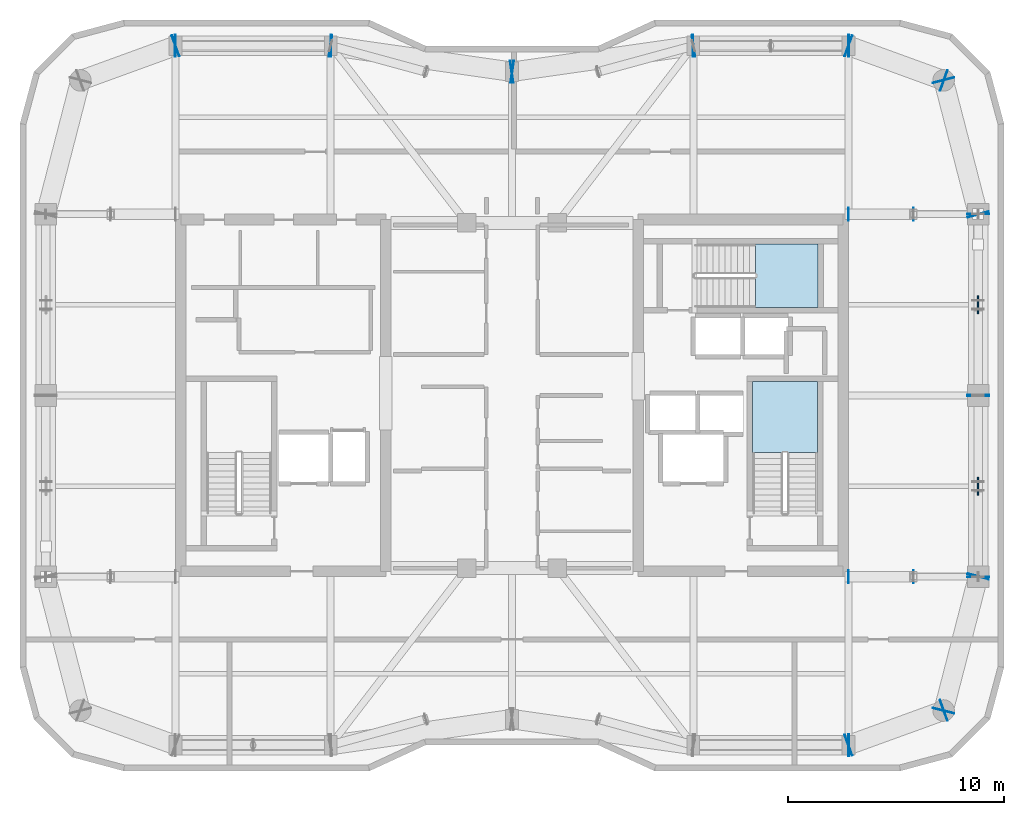
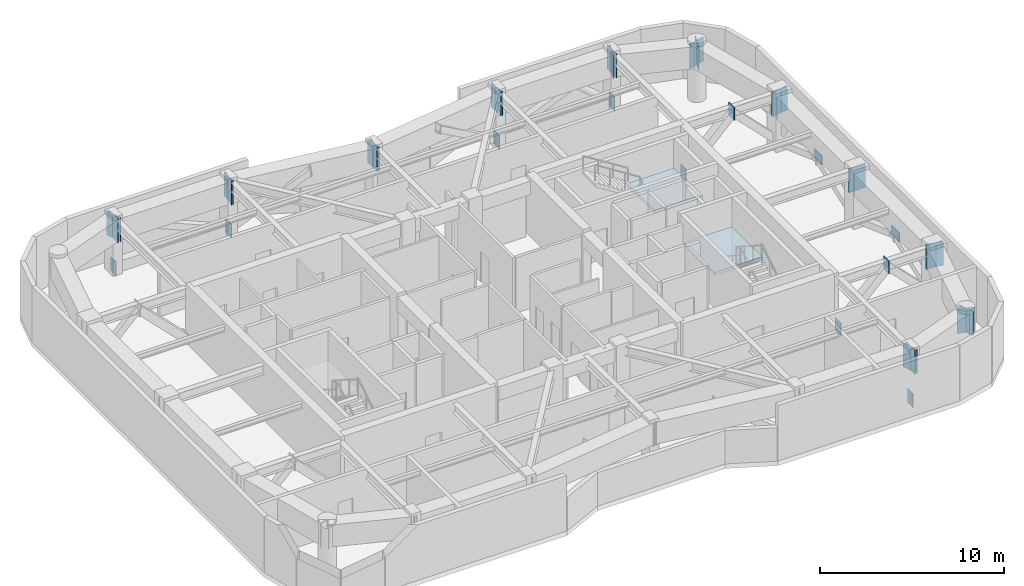
# One storey, part 5 of 11: 33 plates, 2 slabs, 2 elements without a shape of their own.
"""IFC4 building model written with IfcOpenShell, lengths in metres."""

import ifcopenshell
import ifcopenshell.guid

model = None  # the IFC model being written
_history = None  # IfcOwnerHistory: only IFC2X3 demands one
_inside = {}  # id of a spatial element -> (the spatial element, [elements in it])
_under = {}  # id of a project, library or spatial element -> (it, [spatial elements below it])
_declared = {}  # id of a project -> (the project, [libraries it declares])
_typed = {}  # id of a type object -> (the type object, [elements of that type])
_made_of = {}  # id of a material, layer set ... -> (it, [elements and type objects made of it])


def new_model(schema):
    """Start an empty IFC model of exactly this schema.

    Asked for "IFC4X3", IfcOpenShell would pick the latest addendum, in which some entities
    have other attributes; the version numbers below select the first issue.
    IFC2X3 requires an IfcOwnerHistory on every rooted entity: one is made here for all.
    """
    global model, _history
    if schema == "IFC4X3":
        model = ifcopenshell.file(schema_version=(4, 3, 0, 0))
    else:
        model = ifcopenshell.file(schema=schema)
    _inside.clear()
    _under.clear()
    _declared.clear()
    _typed.clear()
    _made_of.clear()
    _history = None
    if model.schema == "IFC2X3":
        org = make("IfcOrganization", Name="unknown")
        user = make(
            "IfcPersonAndOrganization",
            ThePerson=make("IfcPerson", FamilyName="unknown"),
            TheOrganization=org,
        )
        app = make(
            "IfcApplication",
            ApplicationDeveloper=org,
            Version="unknown",
            ApplicationFullName="unknown",
            ApplicationIdentifier="unknown",
        )
        _history = make(
            "IfcOwnerHistory",
            OwningUser=user,
            OwningApplication=app,
            ChangeAction="ADDED",
            CreationDate=0,
        )
    return model


def make(cls, **values):
    """One entity of the class cls with the attributes given. An attribute that is None is left unset."""
    return model.create_entity(
        cls, **{name: value for name, value in values.items() if value is not None}
    )


def rooted(cls, **values):
    """An entity with a GlobalId (a new one), such as an element, a storey or a relation."""
    return make(cls, GlobalId=ifcopenshell.guid.new(), OwnerHistory=_history, **values)


def si_unit(unit_type, name, prefix=None):
    """IfcSIUnit, for example si_unit("LENGTHUNIT", "METRE", prefix="MILLI")."""
    return make("IfcSIUnit", UnitType=unit_type, Prefix=prefix, Name=name)


def assignment(units):
    """IfcUnitAssignment: the units of a project."""
    return None if units is None else make("IfcUnitAssignment", Units=units)


def point(xyz):
    """IfcCartesianPoint."""
    return None if xyz is None else make("IfcCartesianPoint", Coordinates=xyz)


def direction(xyz):
    """IfcDirection."""
    return None if xyz is None else make("IfcDirection", DirectionRatios=xyz)


def frame(location, z_axis=None, x_axis=None):
    """IfcAxis2Placement3D, a coordinate frame: its origin and axes. An axis left out is left unset."""
    return make(
        "IfcAxis2Placement3D",
        Location=point(location),
        Axis=direction(z_axis),
        RefDirection=direction(x_axis),
    )


def frame_2d(location, x_axis=None):
    """IfcAxis2Placement2D, a coordinate frame in the plane: its origin and x axis."""
    return make(
        "IfcAxis2Placement2D", Location=point(location), RefDirection=direction(x_axis)
    )


def origin():
    """The frame at (0, 0, 0) with its axes left unset."""
    return frame((0.0, 0.0, 0.0))


def origin_2d():
    """The frame at (0, 0) in the plane with its x axis left unset."""
    return frame_2d((0.0, 0.0))


def place(relative_to, where):
    """IfcLocalPlacement: puts the frame where relative to a parent placement (None: the world)."""
    return make(
        "IfcLocalPlacement", PlacementRelTo=relative_to, RelativePlacement=where
    )


def context(
    kind, dimensions, precision=None, world=None, true_north=None, identifier=None
):
    """IfcGeometricRepresentationContext, for example the 3D "Model" context."""
    return make(
        "IfcGeometricRepresentationContext",
        ContextIdentifier=identifier,
        ContextType=kind,
        CoordinateSpaceDimension=dimensions,
        Precision=precision,
        WorldCoordinateSystem=world,
        TrueNorth=true_north,
    )


def subcontext(parent, identifier, kind, view, scale=None):
    """IfcGeometricRepresentationSubContext, for example "Body" below "Model"."""
    return make(
        "IfcGeometricRepresentationSubContext",
        ContextIdentifier=identifier,
        ContextType=kind,
        ParentContext=parent,
        TargetScale=scale,
        TargetView=view,
    )


def project(units=None, contexts=None):
    """IfcProject with its units and contexts."""
    return rooted(
        "IfcProject",
        Name="project",
        RepresentationContexts=contexts,
        UnitsInContext=assignment(units),
    )


def spatial(cls, under=None, at=None, **own):
    """A site, building, storey or space (cls), placed at a placement, below another one or the project."""
    s = rooted(cls, ObjectPlacement=at, **own)
    if under is not None:
        _under.setdefault(under.id(), (under, []))[1].append(s)
    return s


def polyline(points):
    """IfcPolyline through the points."""
    return make("IfcPolyline", Points=[point(p) for p in points])


def profile(cls, at=None, kind="AREA", **sizes):
    """A parametric profile (cls). Its sizes go by their IFC names, for example OverallWidth=200.0."""
    return make(cls, ProfileType=kind, Position=at, **sizes)


def rectangle(**sizes):
    """IfcRectangleProfileDef."""
    return profile("IfcRectangleProfileDef", **sizes)


def outline(outer, holes=None, kind="AREA"):
    """IfcArbitraryClosedProfileDef: a profile drawn as a closed curve; with holes, ...WithVoids."""
    if holes is None:
        return make("IfcArbitraryClosedProfileDef", ProfileType=kind, OuterCurve=outer)
    return make(
        "IfcArbitraryProfileDefWithVoids",
        ProfileType=kind,
        OuterCurve=outer,
        InnerCurves=holes,
    )


def extrude(swept, where, along, depth):
    """IfcExtrudedAreaSolid: the profile swept, set in the frame where, extruded along a direction by depth."""
    return make(
        "IfcExtrudedAreaSolid",
        SweptArea=swept,
        Position=where,
        ExtrudedDirection=direction(along),
        Depth=depth,
    )


def shape(context_of_items, identifier, shape_type, items):
    """IfcShapeRepresentation: the items that make up one representation, for example the "Body"."""
    return make(
        "IfcShapeRepresentation",
        ContextOfItems=context_of_items,
        RepresentationIdentifier=identifier,
        RepresentationType=shape_type,
        Items=items,
    )


def material(Name=None, Category=None):
    """IfcMaterial."""
    return make("IfcMaterial", Name=Name, Category=Category)


def layer(
    of_material, thickness, ventilated=None, Name=None, Category=None, Priority=None
):
    """IfcMaterialLayer: one layer of a wall or slab, of a material (None: an air gap)."""
    return make(
        "IfcMaterialLayer",
        Material=of_material,
        LayerThickness=thickness,
        IsVentilated=ventilated,
        Name=Name,
        Category=Category,
        Priority=Priority,
    )


def layer_set(layers, Name=None):
    """IfcMaterialLayerSet."""
    return make("IfcMaterialLayerSet", MaterialLayers=layers, LayerSetName=Name)


def made_of(thing, what):
    """Note that an element or type object is made of a material, layer set ...; save() writes the relation."""
    if what is not None:
        _made_of.setdefault(what.id(), (what, []))[1].append(thing)
    return thing


def type_object(cls, material=None, **own):
    """A type object (cls), such as IfcWallType, which elements share."""
    return made_of(rooted(cls, **own), material)


def element(
    cls,
    number,
    at=None,
    inside=None,
    cuts=None,
    type_object=None,
    material=None,
    context=None,
    identifier="Body",
    shape_type=None,
    held_by="IfcProductDefinitionShape",
    body=None,
    shapes=None,
    **own,
):
    """One element of the class cls, such as IfcWall. Its Tag is "e" and its number.

    at: its placement. inside: the storey or other place that contains it. cuts: it is an
    opening in that element (IfcRelVoidsElement). A single representation is given by context,
    identifier, shape_type and body (its items); several are given by shapes. held_by: the class
    of the entity that holds the representations. save() writes the other relations.
    """
    e = rooted(cls, Tag="e%d" % number, ObjectPlacement=at, **own)
    if body is not None:
        shapes = [shape(context, identifier, shape_type, body)]
    if shapes is not None:
        e.Representation = make(held_by, Representations=shapes)
    if inside is not None:
        _inside.setdefault(inside.id(), (inside, []))[1].append(e)
    if cuts is not None:
        rooted(
            "IfcRelVoidsElement", RelatingBuildingElement=cuts, RelatedOpeningElement=e
        )
    if type_object is not None:
        _typed.setdefault(type_object.id(), (type_object, []))[1].append(e)
    return made_of(e, material)


def aggregate(whole, parts):
    """IfcRelAggregates: a whole, such as a stair, and the parts it consists of."""
    return rooted("IfcRelAggregates", RelatingObject=whole, RelatedObjects=parts)


def save(model, path):
    """Write the relations noted so far, then the file.

    IfcRelAggregates (storeys below a building ...), IfcRelContainedInSpatialStructure (elements
    in a storey), IfcRelDefinesByType, IfcRelAssociatesMaterial and IfcRelDeclares: one each for
    every whole, place, type object, material and project.
    """
    for whole, parts in _under.values():
        aggregate(whole, parts)
    for where, things in _inside.values():
        rooted(
            "IfcRelContainedInSpatialStructure",
            RelatedElements=things,
            RelatingStructure=where,
        )
    for kind, things in _typed.values():
        rooted("IfcRelDefinesByType", RelatedObjects=things, RelatingType=kind)
    for what, things in _made_of.values():
        rooted("IfcRelAssociatesMaterial", RelatedObjects=things, RelatingMaterial=what)
    for by, libraries in _declared.values():
        rooted("IfcRelDeclares", RelatingContext=by, RelatedDefinitions=libraries)
    model.write(path)


model = new_model("IFC4")

# Units and contexts
model_context = context("Model", 3, precision=1e-05, world=origin(), true_north=direction((0.0, 1.0)))
body_context = subcontext(model_context, "Body", "Model", "MODEL_VIEW")
ifc_project = project(units=[si_unit("LENGTHUNIT", "METRE"), si_unit("AREAUNIT", "SQUARE_METRE"), si_unit("VOLUMEUNIT", "CUBIC_METRE"), si_unit("PLANEANGLEUNIT", "RADIAN"), si_unit("MASSUNIT", "GRAM", prefix="KILO")], contexts=[model_context])

# Site, building, storey
site_placement = place(None, origin())
site = spatial("IfcSite", under=ifc_project, at=site_placement, CompositionType="ELEMENT")
building_placement = place(site_placement, origin())
building = spatial("IfcBuilding", under=site, at=building_placement, Name="Kiyonajd Concourse Tower", CompositionType="ELEMENT")
storey_placement = place(building_placement, frame((0.0, 0.0, 282.300048828125)))
storey = spatial("IfcBuildingStorey", under=building, at=storey_placement, Name="L71", CompositionType="ELEMENT", Elevation=282.300048828125)

# Plates
ifc_material_1 = material(Name="Steel ASTM A572 Grade 50", Category="steel")
ifc_layer_1 = layer(ifc_material_1, 0.031982421875)
ifc_layer_set_1 = layer_set([ifc_layer_1], Name="Steel ASTM A572 Grade 50")
plate_type_1 = type_object("IfcPlateType", Name="PL-CAP-540", PredefinedType="USERDEFINED", material=ifc_layer_set_1)
for number, where, z_axis, x_axis, name in (
    (1, (63.59228515625, 27.60009765625, -0.13330078125), (0.0, 0.0, 1.0), (-1.0, 0.0, 0.0), "L71 Outrigger End Cap Plate 05"),
    (2, (66.607666015625, 27.60009765625, 2.912109375), (0.0, 0.0, 1.0), (1.0, 0.0, 0.0), "L71 Outrigger Far End Cap Plate 05"),
    (3, (63.59228515625, 44.39990234375, -0.13330078125), (0.0, 0.0, 1.0), (-1.0, 0.0, 0.0), "L71 Outrigger End Cap Plate 07"),
    (4, (66.607666015625, 44.39990234375, 2.912109375), (0.0, 0.0, 1.0), (1.0, 0.0, 0.0), "L71 Outrigger Far End Cap Plate 07"),
):
    element("IfcPlate", number, at=place(storey_placement, frame(where, z_axis=z_axis, x_axis=x_axis)), inside=storey, type_object=plate_type_1, Name=name, ObjectType="CAP PLATE", PredefinedType="USERDEFINED", context=body_context, shape_type="SweptSolid", body=[
        extrude(rectangle(XDim=0.035888671875, YDim=0.6201171875, at=origin_2d()), origin(), (0.0, 0.0, 1.0), 0.85107421875),
    ])
for number, where, z_axis, x_axis, name in (
    (5, (63.611083984375, 19.800048828125, -0.169921875), (0.0, 0.0, 1.0), (1.0, 0.0, 0.0), "L71 Belt Chord Cap Plate"),
    (6, (32.388916015625, 52.199951171875, -0.169921875), (0.0, 0.0, 1.0), (-1.0, 0.0, 0.0), "L71 Belt Chord Cap Plate"),
    (7, (39.611083984375, 52.199951171875, -0.169921875), (0.0, 0.0, 1.0), (1.0, 0.0, 0.0), "L71 Belt Chord Cap Plate"),
    (8, (56.388916015625, 52.199951171875, -0.169921875), (0.0, 0.0, 1.0), (-1.0, 0.0, 0.0), "L71 Belt Chord Cap Plate"),
    (9, (63.611083984375, 52.199951171875, -0.169921875), (0.0, 0.0, 1.0), (1.0, 0.0, 0.0), "L71 Belt Chord Cap Plate"),
):
    element("IfcPlate", number, at=place(storey_placement, frame(where, z_axis=z_axis, x_axis=x_axis)), inside=storey, type_object=plate_type_1, Name=name, ObjectType="CAP PLATE", PredefinedType="USERDEFINED", context=body_context, shape_type="SweptSolid", body=[
        extrude(rectangle(XDim=0.035888671875, YDim=0.6201171875, at=origin_2d()), origin(), (0.0, 0.0, 1.0), 0.93994140625),
    ])
for number, where, z_axis, x_axis, name in (
    (10, (63.611083984375, 19.800048828125, 2.15966796875), (0.0, 0.0, 1.0), (1.0, 0.0, 0.0), "L71 Welded Box Girder End Cap"),
    (11, (63.589599609375, 19.796142578125, 2.15966796875), (0.0, 0.0, 1.0), (-0.939811951086, -0.341692107891, 0.0), "L71 Welded Box Girder End Cap"),
    (12, (68.01025390625, 21.40380859375, 2.15966796875), (0.0, 0.0, 1.0), (0.939811951086, 0.341692107891, 0.0), "L71 Welded Box Girder End Cap"),
    (13, (67.997314453125, 21.389404296875, 2.15966796875), (0.0, 0.0, 1.0), (-0.249873048837, -0.968278606324, 0.0), "L71 Welded Box Girder End Cap"),
    (14, (69.602783203125, 27.610595703125, 2.15966796875), (0.0, 0.0, 1.0), (0.249873048837, 0.968278606324, 0.0), "L71 Welded Box Girder End Cap"),
    (15, (69.60009765625, 27.589111328125, 2.15966796875), (0.0, 0.0, 1.0), (0.0, -1.0, 0.0), "L71 Welded Box Girder End Cap"),
    (16, (69.60009765625, 36.010986328125, 2.15966796875), (0.0, 0.0, 1.0), (0.0, 1.0, 0.0), "L71 Welded Box Girder End Cap"),
    (17, (69.60009765625, 35.989013671875, 2.15966796875), (0.0, 0.0, 1.0), (0.0, -1.0, 0.0), "L71 Welded Box Girder End Cap"),
    (18, (69.60009765625, 44.410888671875, 2.15966796875), (0.0, 0.0, 1.0), (0.0, 1.0, 0.0), "L71 Welded Box Girder End Cap"),
    (19, (69.602783203125, 44.389404296875, 2.15966796875), (0.0, 0.0, 1.0), (0.249873048837, -0.968278606324, 0.0), "L71 Welded Box Girder End Cap"),
    (20, (67.997314453125, 50.610595703125, 2.15966796875), (0.0, 0.0, 1.0), (-0.249873048837, 0.968278606324, 0.0), "L71 Welded Box Girder End Cap"),
    (21, (68.01025390625, 50.59619140625, 2.15966796875), (0.0, 0.0, 1.0), (0.939811951086, -0.341692107891, 0.0), "L71 Welded Box Girder End Cap"),
    (22, (63.589599609375, 52.203857421875, 2.15966796875), (0.0, 0.0, 1.0), (-0.939811951086, 0.341692107891, 0.0), "L71 Welded Box Girder End Cap"),
    (23, (63.611083984375, 52.199951171875, 2.15966796875), (0.0, 0.0, 1.0), (1.0, 0.0, 0.0), "L71 Welded Box Girder End Cap"),
    (24, (56.388916015625, 52.199951171875, 2.15966796875), (0.0, 0.0, 1.0), (-1.0, 0.0, 0.0), "L71 Welded Box Girder End Cap"),
    (25, (56.410888671875, 52.20166015625, 2.15966796875), (0.0, 0.0, 1.0), (0.989949746297, 0.141419587774, 0.0), "L71 Welded Box Girder End Cap"),
    (26, (47.989013671875, 50.998291015625, 2.15966796875), (0.0, 0.0, 1.0), (-0.989949746297, -0.141419587774, 0.0), "L71 Welded Box Girder End Cap"),
    (27, (48.010986328125, 50.998291015625, 2.15966796875), (0.0, 0.0, 1.0), (0.989949746297, -0.141419587774, 0.0), "L71 Welded Box Girder End Cap"),
    (28, (39.589111328125, 52.20166015625, 2.15966796875), (0.0, 0.0, 1.0), (-0.989949746297, 0.141419587774, 0.0), "L71 Welded Box Girder End Cap"),
    (29, (39.611083984375, 52.199951171875, 2.15966796875), (0.0, 0.0, 1.0), (1.0, 0.0, 0.0), "L71 Welded Box Girder End Cap"),
    (30, (32.388916015625, 52.199951171875, 2.15966796875), (0.0, 0.0, 1.0), (-1.0, 0.0, 0.0), "L71 Welded Box Girder End Cap"),
    (31, (32.410400390625, 52.203857421875, 2.15966796875), (0.0, 0.0, 1.0), (0.939811951086, 0.341692107891, 0.0), "L71 Welded Box Girder End Cap"),
):
    element("IfcPlate", number, at=place(storey_placement, frame(where, z_axis=z_axis, x_axis=x_axis)), inside=storey, type_object=plate_type_1, Name=name, ObjectType="CAP PLATE", PredefinedType="USERDEFINED", context=body_context, shape_type="SweptSolid", body=[
        extrude(rectangle(XDim=0.035888671875, YDim=1.02001953125, at=origin_2d()), origin(), (0.0, 0.0, 1.0), 1.590087890625),
    ])
ifc_layer_2 = layer(ifc_material_1, 0.06005859375)
ifc_layer_set_2 = layer_set([ifc_layer_2], Name="Steel ASTM A572 Grade 50")
plate_type_2 = type_object("IfcPlateType", Name="PL-XNODE-60", PredefinedType="USERDEFINED", material=ifc_layer_set_2)
for number, where, z_axis, x_axis, name in (
    (32, (69.60009765625, 31.800048828125, 1.514892578125), (0.0, 0.0, 1.0), (1.0, 0.0, 0.0), "L71 Belt Truss X Brace Crossing Gusset Plate XN1 E1"),
    (33, (69.60009765625, 40.199951171875, 1.514892578125), (0.0, 0.0, 1.0), (1.0, 0.0, 0.0), "L71 Belt Truss X Brace Crossing Gusset Plate XN1 E2"),
):
    element("IfcPlate", number, at=place(storey_placement, frame(where, z_axis=z_axis, x_axis=x_axis)), inside=storey, type_object=plate_type_2, Name=name, ObjectType="GUSSET PLATE", PredefinedType="USERDEFINED", context=body_context, shape_type="SweptSolid", body=[
        extrude(rectangle(XDim=0.06005859375, YDim=0.840087890625, at=origin_2d()), origin(), (0.0, 0.0, 1.0), 0.60009765625),
    ])

# Stair, slab
ifc_material_2 = material(Name="Concrete C40/50", Category="concrete")
stair_type = type_object("IfcStairType", Name="ST-DLG-22R", PredefinedType="HALF_TURN_STAIR", material=ifc_material_2)
stair_1_placement = place(storey_placement, origin())
stair_1 = element("IfcStair", 34, at=stair_1_placement, inside=storey, type_object=stair_type, Name="L71 Protected Exit Stair ST2", PredefinedType="HALF_TURN_STAIR")
ifc_layer_3 = layer(ifc_material_2, 0.199951171875)
ifc_layer_set_3 = layer_set([ifc_layer_3], Name="Concrete C40/50")
slab_type = type_object("IfcSlabType", Name="SL-LND-200", PredefinedType="LANDING", material=ifc_layer_set_3)
slab_1_placement = place(storey_placement, frame((0.0, 0.0, 1.75)))
slab_1 = element("IfcSlab", 35, at=slab_1_placement, type_object=slab_type, Name="ST2 landing 1", PredefinedType="LANDING", context=body_context, shape_type="SweptSolid", body=[
    extrude(outline(polyline([(62.14990234375, 33.35009765625), (62.14990234375, 36.64990234375), (59.14990234375, 36.64990234375), (59.14990234375, 33.35009765625), (62.14990234375, 33.35009765625)])), origin(), (0.0, 0.0, 1.0), 0.199951171875),
])
aggregate(stair_1, [slab_1])

stair_2_placement = place(storey_placement, origin())
stair_2 = element("IfcStair", 36, at=stair_2_placement, inside=storey, type_object=stair_type, Name="L71 Protected Exit Stair ST3", PredefinedType="HALF_TURN_STAIR")
slab_2_placement = place(storey_placement, frame((0.0, 0.0, 1.75)))
slab_2 = element("IfcSlab", 37, at=slab_2_placement, type_object=slab_type, Name="ST3 landing 1", PredefinedType="LANDING", context=body_context, shape_type="SweptSolid", body=[
    extrude(outline(polyline([(59.280029296875, 40.080078125), (62.179931640625, 40.080078125), (62.179931640625, 43.02001953125), (59.280029296875, 43.02001953125), (59.280029296875, 40.080078125)])), origin(), (0.0, 0.0, 1.0), 0.199951171875),
])
aggregate(stair_2, [slab_2])

save(model, "model.ifc")
